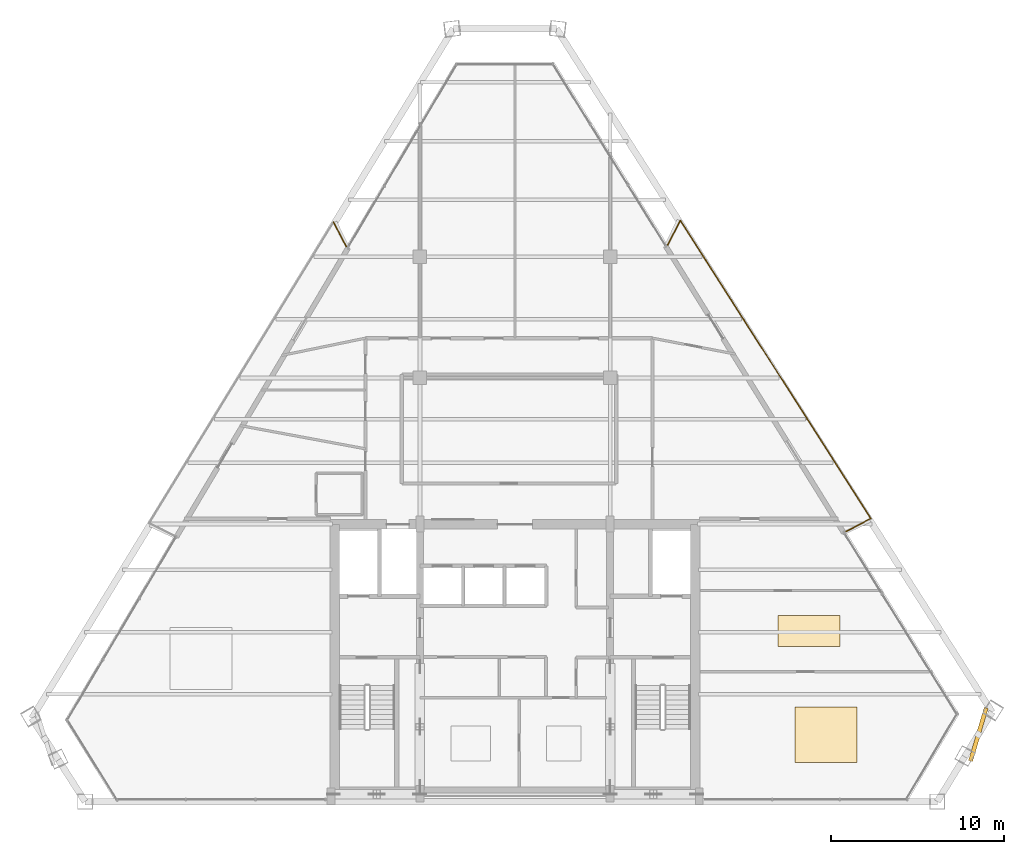
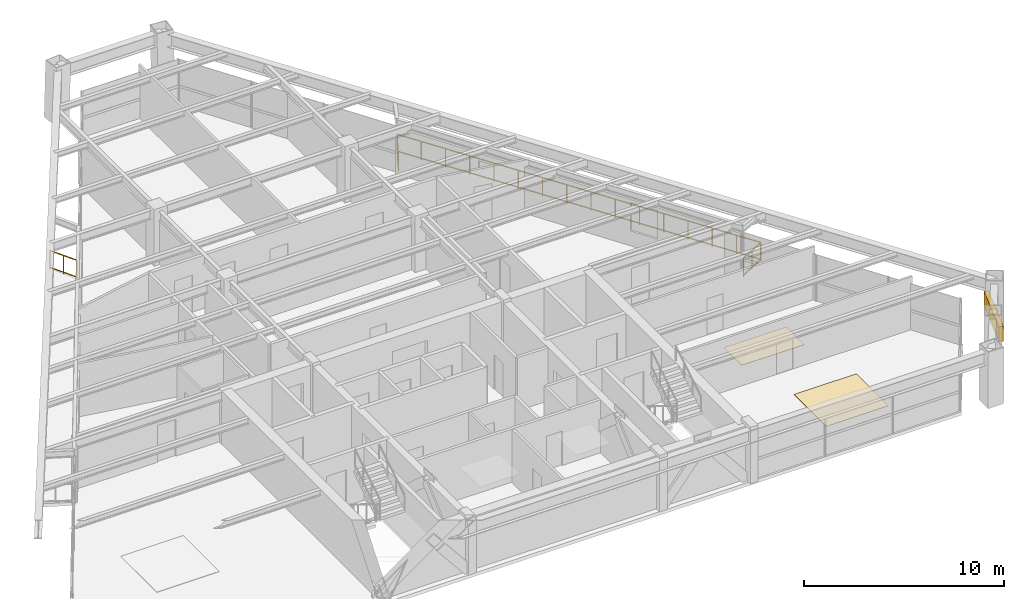
# One storey, part 12 of 12: 4 railings, 2 coverings, 1 shading device.
"""IFC4 building model written with IfcOpenShell, lengths in metres."""

from ifc_helpers import new_model, si_unit, direction, frame, origin, origin_2d, place, context, subcontext, project, spatial, rectangle, extrude, source, transform, mapped, material, layer, layer_set, type_object, type_shapes, element, save


model = new_model("IFC4")

# Units and contexts
model_context = context("Model", 3, precision=1e-05, world=origin(), true_north=direction((0.0, 1.0)))
body_context = subcontext(model_context, "Body", "Model", "MODEL_VIEW")
ifc_project = project(units=[si_unit("LENGTHUNIT", "METRE"), si_unit("AREAUNIT", "SQUARE_METRE"), si_unit("VOLUMEUNIT", "CUBIC_METRE"), si_unit("PLANEANGLEUNIT", "RADIAN"), si_unit("MASSUNIT", "GRAM", prefix="KILO")], contexts=[model_context])

# Site, building, storey
site_placement = place(None, origin())
site = spatial("IfcSite", under=ifc_project, at=site_placement, CompositionType="ELEMENT")
building_placement = place(site_placement, origin())
building = spatial("IfcBuilding", under=site, at=building_placement, Name="Varnakhor Terracotta Tower", CompositionType="ELEMENT")
storey_placement = place(building_placement, frame((0.0, 0.0, 230.35009765625)))
storey = spatial("IfcBuildingStorey", under=building, at=storey_placement, Name="L59", CompositionType="ELEMENT", Elevation=230.35009765625)

# Railings
ifc_material_1 = material(Name="Stainless Steel & Laminated Glass Guardrail", Category="steel")
railing_type = type_object("IfcRailingType", Name="RLG-LOGGIA-GUARD-1150", PredefinedType="GUARDRAIL", material=ifc_material_1)
railing_1_placement = place(storey_placement, frame((8.826416015625, 32.19921875, 0.0)))
element("IfcRailing", 1, at=railing_1_placement, inside=storey, type_object=railing_type, Name="L59 E Loggia Glass Guard 1", PredefinedType="GUARDRAIL", context=body_context, shape_type="SweptSolid", body=[
    extrude(rectangle(XDim=0.048095703125, YDim=0.048095703125, at=origin_2d()), frame((0.0, 0.0, 1.1259765625), z_axis=(0.463443643539, 0.886126395761, 0.0), x_axis=(-0.886126395761, 0.463443643539, 0.0)), (0.0, 0.0, 1.0), 1.587158203125),
    extrude(rectangle(XDim=0.048095703125, YDim=0.048095703125, at=origin_2d()), frame((0.0, 0.0, 0.10009765625), z_axis=(0.463443643539, 0.886126395761, 0.0), x_axis=(-0.886126395761, 0.463443643539, 0.0)), (0.0, 0.0, 1.0), 1.587158203125),
    extrude(rectangle(XDim=0.0419921875, YDim=0.0419921875, at=origin_2d()), origin(), (0.0, 0.0, 1.0), 1.101806640625),
    extrude(rectangle(XDim=0.0419921875, YDim=0.0419921875, at=origin_2d()), frame((0.36767578125, 0.703125, 0.0)), (0.0, 0.0, 1.0), 1.101806640625),
    extrude(rectangle(XDim=0.0419921875, YDim=0.0419921875, at=origin_2d()), frame((0.735595703125, 1.406494140625, 0.0)), (0.0, 0.0, 1.0), 1.101806640625),
])
railing_2_placement = place(storey_placement, frame((9.56201171875, 33.605712890625, 0.0)))
element("IfcRailing", 2, at=railing_2_placement, inside=storey, type_object=railing_type, Name="L59 E Loggia Glass Guard 2", PredefinedType="GUARDRAIL", context=body_context, shape_type="SweptSolid", body=[
    extrude(rectangle(XDim=0.048095703125, YDim=0.048095703125, at=origin_2d()), frame((0.0, 0.0, 1.1259765625), z_axis=(0.53842859894, -0.842671136235, 0.0), x_axis=(0.842671136235, 0.53842859894, 0.0)), (0.0, 0.0, 1.0), 20.452880859375),
    extrude(rectangle(XDim=0.048095703125, YDim=0.048095703125, at=origin_2d()), frame((0.0, 0.0, 0.10009765625), z_axis=(0.53842859894, -0.842671136235, 0.0), x_axis=(0.842671136235, 0.53842859894, 0.0)), (0.0, 0.0, 1.0), 20.452880859375),
    extrude(rectangle(XDim=0.0419921875, YDim=0.0419921875, at=origin_2d()), origin(), (0.0, 0.0, 1.0), 1.101806640625),
    extrude(rectangle(XDim=0.0419921875, YDim=0.0419921875, at=origin_2d()), frame((0.734130859375, -1.14892578125, 0.0)), (0.0, 0.0, 1.0), 1.101806640625),
    extrude(rectangle(XDim=0.0419921875, YDim=0.0419921875, at=origin_2d()), frame((1.46826171875, -2.298095703125, 0.0)), (0.0, 0.0, 1.0), 1.101806640625),
    extrude(rectangle(XDim=0.0419921875, YDim=0.0419921875, at=origin_2d()), frame((2.202392578125, -3.447021484375, 0.0)), (0.0, 0.0, 1.0), 1.101806640625),
    extrude(rectangle(XDim=0.0419921875, YDim=0.0419921875, at=origin_2d()), frame((2.936767578125, -4.595947265625, 0.0)), (0.0, 0.0, 1.0), 1.101806640625),
    extrude(rectangle(XDim=0.0419921875, YDim=0.0419921875, at=origin_2d()), frame((3.6708984375, -5.7451171875, 0.0)), (0.0, 0.0, 1.0), 1.101806640625),
    extrude(rectangle(XDim=0.0419921875, YDim=0.0419921875, at=origin_2d()), frame((4.405029296875, -6.89404296875, 0.0)), (0.0, 0.0, 1.0), 1.101806640625),
    extrude(rectangle(XDim=0.0419921875, YDim=0.0419921875, at=origin_2d()), frame((5.13916015625, -8.04296875, 0.0)), (0.0, 0.0, 1.0), 1.101806640625),
    extrude(rectangle(XDim=0.0419921875, YDim=0.0419921875, at=origin_2d()), frame((5.873291015625, -9.192138671875, 0.0)), (0.0, 0.0, 1.0), 1.101806640625),
    extrude(rectangle(XDim=0.0419921875, YDim=0.0419921875, at=origin_2d()), frame((6.607421875, -10.341064453125, 0.0)), (0.0, 0.0, 1.0), 1.101806640625),
    extrude(rectangle(XDim=0.0419921875, YDim=0.0419921875, at=origin_2d()), frame((7.341552734375, -11.489990234375, 0.0)), (0.0, 0.0, 1.0), 1.101806640625),
    extrude(rectangle(XDim=0.0419921875, YDim=0.0419921875, at=origin_2d()), frame((8.07568359375, -12.63916015625, 0.0)), (0.0, 0.0, 1.0), 1.101806640625),
    extrude(rectangle(XDim=0.0419921875, YDim=0.0419921875, at=origin_2d()), frame((8.81005859375, -13.7880859375, 0.0)), (0.0, 0.0, 1.0), 1.101806640625),
    extrude(rectangle(XDim=0.0419921875, YDim=0.0419921875, at=origin_2d()), frame((9.544189453125, -14.93701171875, 0.0)), (0.0, 0.0, 1.0), 1.101806640625),
    extrude(rectangle(XDim=0.0419921875, YDim=0.0419921875, at=origin_2d()), frame((10.2783203125, -16.086181640625, 0.0)), (0.0, 0.0, 1.0), 1.101806640625),
    extrude(rectangle(XDim=0.0419921875, YDim=0.0419921875, at=origin_2d()), frame((11.012451171875, -17.235107421875, 0.0)), (0.0, 0.0, 1.0), 1.101806640625),
])
railing_3_placement = place(storey_placement, frame((20.574462890625, 16.37060546875, 0.0)))
element("IfcRailing", 3, at=railing_3_placement, inside=storey, type_object=railing_type, Name="L59 E Loggia Glass Guard 3", PredefinedType="GUARDRAIL", context=body_context, shape_type="SweptSolid", body=[
    extrude(rectangle(XDim=0.048095703125, YDim=0.048095703125, at=origin_2d()), frame((0.0, 0.0, 1.1259765625), z_axis=(-0.885487481013, -0.464663233933, 0.0), x_axis=(0.464663233933, -0.885487481013, 0.0)), (0.0, 0.0, 1.0), 1.626220703125),
    extrude(rectangle(XDim=0.048095703125, YDim=0.048095703125, at=origin_2d()), frame((0.0, 0.0, 0.10009765625), z_axis=(-0.885487481013, -0.464663233933, 0.0), x_axis=(0.464663233933, -0.885487481013, 0.0)), (0.0, 0.0, 1.0), 1.626220703125),
    extrude(rectangle(XDim=0.0419921875, YDim=0.0419921875, at=origin_2d()), origin(), (0.0, 0.0, 1.0), 1.101806640625),
    extrude(rectangle(XDim=0.0419921875, YDim=0.0419921875, at=origin_2d()), frame((-0.719970703125, -0.3779296875, 0.0)), (0.0, 0.0, 1.0), 1.101806640625),
    extrude(rectangle(XDim=0.0419921875, YDim=0.0419921875, at=origin_2d()), frame((-1.43994140625, -0.755615234375, 0.0)), (0.0, 0.0, 1.0), 1.101806640625),
])
railing_4_placement = place(storey_placement, frame((-10.5029296875, 33.50634765625, 0.0)))
element("IfcRailing", 4, at=railing_4_placement, inside=storey, type_object=railing_type, Name="L59 W Loggia Glass Guard 3", PredefinedType="GUARDRAIL", context=body_context, shape_type="SweptSolid", body=[
    extrude(rectangle(XDim=0.048095703125, YDim=0.048095703125, at=origin_2d()), frame((0.0, 0.0, 1.1259765625), z_axis=(0.466336833244, -0.884607233726, 0.0), x_axis=(0.884607233726, 0.466336833244, 0.0)), (0.0, 0.0, 1.0), 1.584716796875),
    extrude(rectangle(XDim=0.048095703125, YDim=0.048095703125, at=origin_2d()), frame((0.0, 0.0, 0.10009765625), z_axis=(0.466336833244, -0.884607233726, 0.0), x_axis=(0.884607233726, 0.466336833244, 0.0)), (0.0, 0.0, 1.0), 1.584716796875),
    extrude(rectangle(XDim=0.0419921875, YDim=0.0419921875, at=origin_2d()), origin(), (0.0, 0.0, 1.0), 1.101806640625),
    extrude(rectangle(XDim=0.0419921875, YDim=0.0419921875, at=origin_2d()), frame((0.36962890625, -0.700927734375, 0.0)), (0.0, 0.0, 1.0), 1.101806640625),
    extrude(rectangle(XDim=0.0419921875, YDim=0.0419921875, at=origin_2d()), frame((0.739013671875, -1.40185546875, 0.0)), (0.0, 0.0, 1.0), 1.101806640625),
])

# Shading device
ifc_material_2 = material(Name="Extruded Architectural Terracotta Screen", Category="masonry")
shading_device_type = type_object("IfcShadingDeviceType", Name="TERRACOTTA SOLAR SCREEN E", PredefinedType="USERDEFINED", material=ifc_material_2)
shared_shape_1 = source(origin(), body_context, "Body", "SweptSolid", [
    extrude(rectangle(XDim=3.199951171875, YDim=0.239990234375, at=origin_2d()), origin(), (0.0, 0.0, 1.0), 0.919921875),
])
type_shapes(shading_device_type, [shared_shape_1])
shading_device_placement = place(storey_placement, frame((26.797607421875, 3.882568359375, 1.56201171875), z_axis=(0.0, 0.0, 1.0), x_axis=(0.282893935167, 0.959151198428, 0.0)))
element("IfcShadingDevice", 5, at=shading_device_placement, inside=storey, type_object=shading_device_type, Name="L59 E Terracotta Solar Screen", ObjectType="SCREEN", PredefinedType="USERDEFINED", context=body_context, shape_type="MappedRepresentation", body=[
    mapped(shared_shape_1, transform((0.0, 0.0, 0.0), scale=1.0)),
])

# Coverings
ifc_material_3 = material(Name="Honed Riyadh Limestone Flooring", Category="masonry")
ifc_layer = layer(ifc_material_3, 0.030029296875, Name="Honed Riyadh Limestone Flooring")
ifc_layer_set = layer_set([ifc_layer], Name="Honed Riyadh Limestone Flooring")
covering_type = type_object("IfcCoveringType", Name="COV-FLOOR-LIMESTONE", PredefinedType="FLOORING", material=ifc_layer_set)
shared_shape_2 = source(origin(), body_context, "Body", "SweptSolid", [
    extrude(rectangle(XDim=3.60009765625, YDim=3.217041015625, at=origin_2d()), origin(), (0.0, 0.0, 1.0), 0.02001953125),
])
covering_1_placement = place(storey_placement, frame((17.988037109375, 3.85400390625, 0.0), z_axis=(0.0, 0.0, 1.0), x_axis=(1.0, 0.0, 0.0)))
element("IfcCovering", 6, at=covering_1_placement, inside=storey, type_object=covering_type, Name="L59 Honed Stone Flooring 3", PredefinedType="FLOORING", context=body_context, shape_type="MappedRepresentation", body=[
    mapped(shared_shape_2, transform((0.0, 0.0, 0.0), scale=1.0)),
])
shared_shape_3 = source(origin(), body_context, "Body", "SweptSolid", [
    extrude(rectangle(XDim=3.60009765625, YDim=1.7919921875, at=origin_2d()), origin(), (0.0, 0.0, 1.0), 0.02001953125),
])
covering_2_placement = place(storey_placement, frame((17.0029296875, 9.85009765625, 0.0), z_axis=(0.0, 0.0, 1.0), x_axis=(1.0, 0.0, 0.0)))
element("IfcCovering", 7, at=covering_2_placement, inside=storey, type_object=covering_type, Name="L59 Honed Stone Flooring 5", PredefinedType="FLOORING", context=body_context, shape_type="MappedRepresentation", body=[
    mapped(shared_shape_3, transform((0.0, 0.0, 0.0), scale=1.0)),
])

save(model, "model.ifc")
